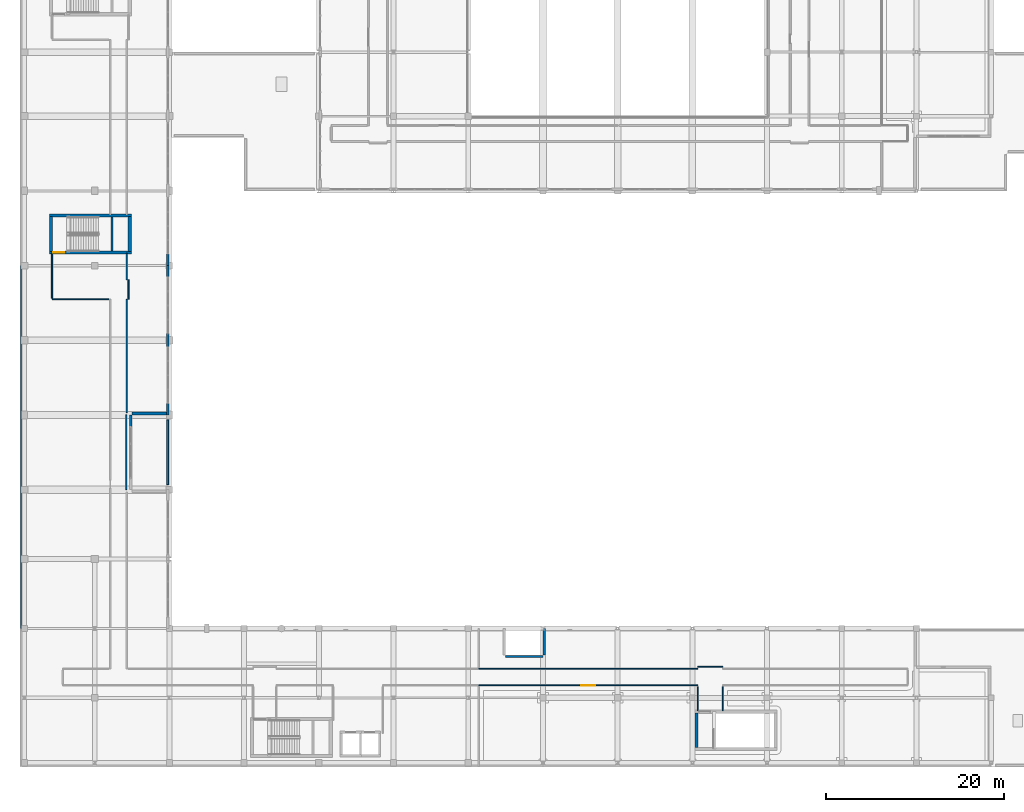
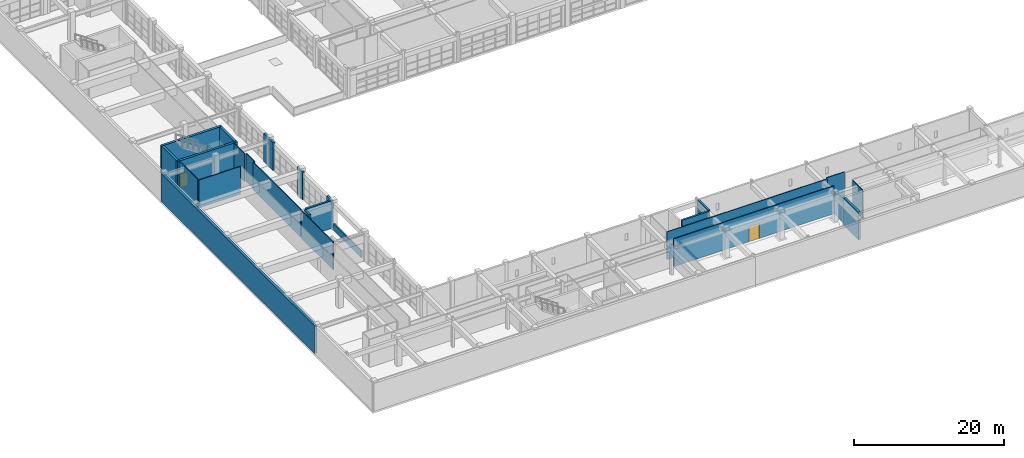
# One storey, part 105 of 123: 27 walls, 2 doors, 2 openings.
"""IFC4 building model written with IfcOpenShell, lengths in metres."""

from ifc_helpers import new_model, si_unit, direction, frame, frame_2d, origin, place, context, subcontext, project, spatial, rectangle, extrude, material, layer, layer_set, type_object, element, fill, save


model = new_model("IFC4")

# Units and contexts
model_context = context("Model", 3, precision=1e-05, world=origin(), true_north=direction((0.0, 1.0)))
body_context = subcontext(model_context, "Body", "Model", "MODEL_VIEW")
ifc_project = project(units=[si_unit("LENGTHUNIT", "METRE"), si_unit("AREAUNIT", "SQUARE_METRE"), si_unit("VOLUMEUNIT", "CUBIC_METRE"), si_unit("PLANEANGLEUNIT", "RADIAN"), si_unit("MASSUNIT", "GRAM", prefix="KILO")], contexts=[model_context])

# Site, building, storey
site_placement = place(None, origin())
site = spatial("IfcSite", under=ifc_project, at=site_placement, CompositionType="ELEMENT")
building_placement = place(site_placement, origin())
building = spatial("IfcBuilding", under=site, at=building_placement, Name="Quendrovan Civic Courthouse", CompositionType="ELEMENT")
storey_placement = place(building_placement, frame((0.0, 0.0, 5.39990234375)))
storey = spatial("IfcBuildingStorey", under=building, at=storey_placement, Name="L02", CompositionType="ELEMENT", Elevation=5.39990234375)

# Wall, opening, door
ifc_material_1 = material(Name="Concrete C45/55", Category="concrete")
ifc_layer_1 = layer(ifc_material_1, 0.35009765625, Name="Concrete C45/55")
ifc_layer_set_1 = layer_set([ifc_layer_1], Name="Concrete C45/55")
wall_type_1 = type_object("IfcWallType", Name="WL-CORE-350", PredefinedType="SHEAR", material=ifc_layer_set_1)
wall_1_placement = place(storey_placement, frame((3.2900390625, 57.864990234375, 0.0), z_axis=(0.0, 0.0, 1.0), x_axis=(1.0, 0.0, 0.0)))
wall_1 = element("IfcWall", 1, at=wall_1_placement, inside=storey, type_object=wall_type_1, Name="L02 Core Shear Wall ST4-S", PredefinedType="SHEAR", context=body_context, shape_type="SweptSolid", body=[
    extrude(rectangle(XDim=9.219970703125, YDim=0.35009765625, at=frame_2d((4.60986328125, 0.0))), origin(), (0.0, 0.0, 1.0), 4.52001953125),
])
opening_1_placement = place(wall_1_placement, frame((0.449951171875, 0.0, 0.0)))
opening_1 = element("IfcOpeningElement", 2, at=opening_1_placement, cuts=wall_1, Name="Opening DS-ST4-L02", PredefinedType="OPENING", context=body_context, shape_type="SweptSolid", body=[
    extrude(rectangle(XDim=1.25, YDim=2.199951171875, at=frame_2d((0.625, 1.10009765625))), frame((0.0, 0.18505859375, 0.0), z_axis=(0.0, -1.0, 0.0), x_axis=(1.0, 0.0, 0.0)), (0.0, 0.0, 1.0), 0.3701171875),
])
ifc_material_2 = material(Name="Painted galvanized hollow-metal steel", Category="steel")
door_type_1 = type_object("IfcDoorType", Name="DR-STAIR-1250", OperationType="NOTDEFINED", PredefinedType="DOOR", material=ifc_material_2)
door_1_placement = place(opening_1_placement, origin())
door_1 = element("IfcDoor", 3, at=door_1_placement, inside=storey, type_object=door_type_1, Name="L02 Exit Stair ST4 Fire Door", OperationType="SINGLE_SWING_LEFT", OverallHeight=2.199951171875, OverallWidth=1.25, PredefinedType="DOOR", context=body_context, shape_type="SweptSolid", body=[
    extrude(rectangle(XDim=1.25, YDim=2.199951171875, at=frame_2d((0.625, 1.10009765625))), frame((0.0, 0.02490234375, 0.0), z_axis=(0.0, -1.0, 0.0), x_axis=(1.0, 0.0, 0.0)), (0.0, 0.0, 1.0), 0.050048828125),
])
fill(opening_1, door_1)

# Walls
wall_2_placement = place(storey_placement, frame((12.510009765625, 62.034912109375, 0.0), z_axis=(0.0, 0.0, 1.0), x_axis=(-1.0, 0.0, 0.0)))
element("IfcWall", 4, at=wall_2_placement, inside=storey, type_object=wall_type_1, Name="L02 Core Shear Wall ST4-N", PredefinedType="SHEAR", context=body_context, shape_type="SweptSolid", body=[
    extrude(rectangle(XDim=9.219970703125, YDim=0.35009765625, at=frame_2d((4.60986328125, 0.0))), origin(), (0.0, 0.0, 1.0), 4.52001953125),
])
for number, where, z_axis, x_axis, name in (
    (5, (3.465087890625, 58.0, 0.0), (0.0, 0.0, 1.0), (0.0, 1.0, 0.0), "L02 Core Shear Wall ST4-W"),
    (6, (12.3349609375, 61.89990234375, 0.0), (0.0, 0.0, 1.0), (0.0, -1.0, 0.0), "L02 Core Shear Wall ST4-E"),
):
    element("IfcWall", number, at=place(storey_placement, frame(where, z_axis=z_axis, x_axis=x_axis)), inside=storey, type_object=wall_type_1, Name=name, PredefinedType="SHEAR", context=body_context, shape_type="SweptSolid", body=[
        extrude(rectangle(XDim=3.89990234375, YDim=0.35009765625, at=frame_2d((1.949951171875, 0.0))), origin(), (0.0, 0.0, 1.0), 4.52001953125),
    ])
wall_3_placement = place(storey_placement, frame((76.06494140625, 2.199951171875, 0.0), z_axis=(0.0, 0.0, 1.0), x_axis=(0.0, 1.0, 0.0)))
element("IfcWall", 7, at=wall_3_placement, inside=storey, type_object=wall_type_1, Name="L02 Core Shear Wall ST7-W", PredefinedType="SHEAR", context=body_context, shape_type="SweptSolid", body=[
    extrude(rectangle(XDim=3.900146484375, YDim=0.35009765625, at=frame_2d((1.9501953125, 0.0))), origin(), (0.0, 0.0, 1.0), 4.52001953125),
])
ifc_material_3 = material(Name="Precast concrete C45/55", Category="concrete")
ifc_layer_2 = layer(ifc_material_3, 0.2900390625, Name="Precast concrete C45/55")
ifc_layer_set_2 = layer_set([ifc_layer_2], Name="Precast concrete C45/55")
wall_type_2 = type_object("IfcWallType", Name="WL-EXT-PC290", PredefinedType="SOLIDWALL", material=ifc_layer_set_2)
wall_4_placement = place(storey_placement, frame((16.635009765625, 57.699951171875, 0.0), z_axis=(0.0, 0.0, 1.0), x_axis=(0.0, -1.0, 0.0)))
element("IfcWall", 8, at=wall_4_placement, inside=storey, type_object=wall_type_2, Name="L02 Exterior Pier Wall 176", PredefinedType="SOLIDWALL", context=body_context, shape_type="SweptSolid", body=[
    extrude(rectangle(XDim=1.300048828125, YDim=0.2900390625, at=frame_2d((0.64990234375, 0.0))), origin(), (0.0, 0.0, 1.0), 4.52001953125),
])
wall_5_placement = place(storey_placement, frame((16.635009765625, 56.39990234375, 0.0), z_axis=(0.0, 0.0, 1.0), x_axis=(0.0, -1.0, 0.0)))
element("IfcWall", 9, at=wall_5_placement, inside=storey, type_object=wall_type_2, Name="L02 Exterior Pier Wall 177", PredefinedType="SOLIDWALL", context=body_context, shape_type="SweptSolid", body=[
    extrude(rectangle(XDim=1.2998046875, YDim=0.2900390625, at=frame_2d((0.64990234375, 0.0))), origin(), (0.0, 0.0, 1.0), 4.52001953125),
])
wall_6_placement = place(storey_placement, frame((16.635009765625, 48.75, 0.0), z_axis=(0.0, 0.0, 1.0), x_axis=(0.0, -1.0, 0.0)))
element("IfcWall", 10, at=wall_6_placement, inside=storey, type_object=wall_type_2, Name="L02 Exterior Pier Wall 178", PredefinedType="SOLIDWALL", context=body_context, shape_type="SweptSolid", body=[
    extrude(rectangle(XDim=1.5, YDim=0.2900390625, at=frame_2d((0.75, 0.0))), origin(), (0.0, 0.0, 1.0), 4.52001953125),
])
wall_7_placement = place(storey_placement, frame((16.635009765625, 40.89990234375, 0.0), z_axis=(0.0, 0.0, 1.0), x_axis=(0.0, -1.0, 0.0)))
element("IfcWall", 11, at=wall_7_placement, inside=storey, type_object=wall_type_2, Name="L02 Exterior Pier Wall 179", PredefinedType="SOLIDWALL", context=body_context, shape_type="SweptSolid", body=[
    extrude(rectangle(XDim=1.2998046875, YDim=0.2900390625, at=frame_2d((0.64990234375, 0.0))), origin(), (0.0, 0.0, 1.0), 4.52001953125),
])
wall_8_placement = place(storey_placement, frame((16.800048828125, 39.764892578125, 0.0), z_axis=(0.0, 0.0, 1.0), x_axis=(-1.0, 0.0, 0.0)))
element("IfcWall", 12, at=wall_8_placement, inside=storey, type_object=wall_type_2, Name="L02 Exterior Civic Portal Wall 180", PredefinedType="SOLIDWALL", context=body_context, shape_type="SweptSolid", body=[
    extrude(rectangle(XDim=4.199951171875, YDim=0.2900390625, at=frame_2d((2.10009765625, 0.0))), origin(), (0.0, 0.0, 1.0), 4.52001953125),
])
wall_9_placement = place(storey_placement, frame((12.43505859375, 39.60009765625, 0.0), z_axis=(0.0, 0.0, 1.0), x_axis=(0.0, -1.0, 0.0)))
element("IfcWall", 13, at=wall_9_placement, inside=storey, type_object=wall_type_2, Name="L02 Exterior Pier Wall 181", PredefinedType="SOLIDWALL", context=body_context, shape_type="SweptSolid", body=[
    extrude(rectangle(XDim=1.300048828125, YDim=0.2900390625, at=frame_2d((0.64990234375, 0.0))), origin(), (0.0, 0.0, 1.0), 4.52001953125),
])
ifc_material_4 = material(Name="Concrete C40/50", Category="concrete")
ifc_layer_3 = layer(ifc_material_4, 0.27001953125, Name="Concrete C40/50")
ifc_layer_set_3 = layer_set([ifc_layer_3], Name="Concrete C40/50")
wall_type_3 = type_object("IfcWallType", Name="WL-EXT-RC270", PredefinedType="SOLIDWALL", material=ifc_layer_set_3)
wall_10_placement = place(storey_placement, frame((54.60009765625, 12.445068359375, 0.0), z_axis=(0.0, 0.0, 1.0), x_axis=(1.0, 0.0, 0.0)))
element("IfcWall", 14, at=wall_10_placement, inside=storey, type_object=wall_type_3, Name="L02 Exterior Precast Concrete Wall 189", PredefinedType="SOLIDWALL", context=body_context, shape_type="SweptSolid", body=[
    extrude(rectangle(XDim=4.199951171875, YDim=0.27001953125, at=frame_2d((2.10009765625, 0.0))), origin(), (0.0, 0.0, 1.0), 4.52001953125),
])
wall_11_placement = place(storey_placement, frame((58.955078125, 12.60009765625, 0.0), z_axis=(0.0, 0.0, 1.0), x_axis=(0.0, 1.0, 0.0)))
element("IfcWall", 15, at=wall_11_placement, inside=storey, type_object=wall_type_3, Name="L02 Exterior Precast Concrete Wall 190", PredefinedType="SOLIDWALL", context=body_context, shape_type="SweptSolid", body=[
    extrude(rectangle(XDim=3.0, YDim=0.27001953125, at=frame_2d((1.5, 0.0))), origin(), (0.0, 0.0, 1.0), 4.52001953125),
])

# Wall, opening, door
ifc_material_5 = material(Name="Acoustic glazed-head stud partition")
ifc_layer_4 = layer(ifc_material_5, 0.1201171875, Name="Acoustic glazed-head stud partition")
ifc_layer_set_4 = layer_set([ifc_layer_4], Name="Acoustic glazed-head stud partition")
wall_type_4 = type_object("IfcWallType", Name="WL-LIB-120", PredefinedType="PARTITIONING", material=ifc_layer_set_4)
wall_12_placement = place(storey_placement, frame((51.590087890625, 9.199951171875, 0.0), z_axis=(0.0, 0.0, 1.0), x_axis=(1.0, 0.0, 0.0)))
wall_12 = element("IfcWall", 16, at=wall_12_placement, inside=storey, type_object=wall_type_4, Name="L02 Law Library Reading Room Partition 0293", PredefinedType="PARTITIONING", context=body_context, shape_type="SweptSolid", body=[
    extrude(rectangle(XDim=24.60986328125, YDim=0.1201171875, at=frame_2d((12.304931640625, 0.0))), origin(), (0.0, 0.0, 1.0), 4.52001953125),
])
opening_2_placement = place(wall_12_placement, frame((11.52490234375, 0.0, 0.0)))
opening_2 = element("IfcOpeningElement", 17, at=opening_2_placement, cuts=wall_12, Name="Opening D-L02-046", PredefinedType="OPENING", context=body_context, shape_type="SweptSolid", body=[
    extrude(rectangle(XDim=1.56005859375, YDim=2.43994140625, at=frame_2d((0.780029296875, 1.219970703125))), frame((0.0, 0.070068359375, 0.0), z_axis=(0.0, -1.0, 0.0), x_axis=(1.0, 0.0, 0.0)), (0.0, 0.0, 1.0), 0.14013671875),
])
ifc_material_6 = material(Name="Bronze-anodised aluminium acoustic glass door", Category="aluminium")
door_type_2 = type_object("IfcDoorType", Name="DR-LIB-1560", OperationType="NOTDEFINED", PredefinedType="DOOR", material=ifc_material_6)
door_2_placement = place(opening_2_placement, origin())
door_2 = element("IfcDoor", 18, at=door_2_placement, inside=storey, type_object=door_type_2, Name="L02 Law Library Reading Room Door D-L02-046", OperationType="SINGLE_SWING_LEFT", OverallHeight=2.43994140625, OverallWidth=1.56005859375, PredefinedType="DOOR", context=body_context, shape_type="SweptSolid", body=[
    extrude(rectangle(XDim=1.56005859375, YDim=2.43994140625, at=frame_2d((0.780029296875, 1.219970703125))), frame((0.0, 0.02490234375, 0.0), z_axis=(0.0, -1.0, 0.0), x_axis=(1.0, 0.0, 0.0)), (0.0, 0.0, 1.0), 0.050048828125),
])
fill(opening_2, door_2)

# Walls
wall_13_placement = place(storey_placement, frame((76.199951171875, 11.050048828125, 0.0), z_axis=(0.0, 0.0, 1.0), x_axis=(-1.0, 0.0, 0.0)))
element("IfcWall", 19, at=wall_13_placement, inside=storey, type_object=wall_type_4, Name="L02 Law Library Reading Room Partition 0294", PredefinedType="PARTITIONING", context=body_context, shape_type="SweptSolid", body=[
    extrude(rectangle(XDim=24.60986328125, YDim=0.1201171875, at=frame_2d((12.304931640625, 0.0))), origin(), (0.0, 0.0, 1.0), 4.52001953125),
])
wall_14_placement = place(storey_placement, frame((76.199951171875, 9.06005859375, 0.0), z_axis=(0.0, 0.0, 1.0), x_axis=(0.0, -1.0, 0.0)))
element("IfcWall", 20, at=wall_14_placement, inside=storey, type_object=wall_type_4, Name="L02 Law Library Reading Room Partition 0385", PredefinedType="PARTITIONING", context=body_context, shape_type="SweptSolid", body=[
    extrude(rectangle(XDim=2.739990234375, YDim=0.1201171875, at=frame_2d((1.3701171875, 0.0))), origin(), (0.0, 0.0, 1.0), 3.550048828125),
])
wall_15_placement = place(storey_placement, frame((79.0, 6.320068359375, 0.0), z_axis=(0.0, 0.0, 1.0), x_axis=(0.0, 1.0, 0.0)))
element("IfcWall", 21, at=wall_15_placement, inside=storey, type_object=wall_type_4, Name="L02 Law Library Reading Room Partition 0386", PredefinedType="PARTITIONING", context=body_context, shape_type="SweptSolid", body=[
    extrude(rectangle(XDim=2.739990234375, YDim=0.1201171875, at=frame_2d((1.3701171875, 0.0))), origin(), (0.0, 0.0, 1.0), 4.52001953125),
])
wall_16_placement = place(storey_placement, frame((79.0, 11.300048828125, 0.0), z_axis=(0.0, 0.0, 1.0), x_axis=(-1.0, 0.0, 0.0)))
element("IfcWall", 22, at=wall_16_placement, inside=storey, type_object=wall_type_4, Name="L02 Law Library Reading Room Partition 0387", PredefinedType="PARTITIONING", context=body_context, shape_type="SweptSolid", body=[
    extrude(rectangle(XDim=2.800048828125, YDim=0.1201171875, at=frame_2d((1.39990234375, 0.0))), origin(), (0.0, 0.0, 1.0), 4.52001953125),
])
ifc_layer_5 = layer(ifc_material_3, 0.2099609375, Name="Precast concrete C45/55")
ifc_layer_set_5 = layer_set([ifc_layer_5], Name="Precast concrete C45/55")
wall_type_5 = type_object("IfcWallType", Name="WL-PARAPET-210", PredefinedType="PARAPET", material=ifc_layer_set_5)
wall_17_placement = place(storey_placement, frame((16.6201171875, 39.06005859375, 0.0), z_axis=(0.0, 0.0, 1.0), x_axis=(0.0, -1.0, 0.0)))
element("IfcWall", 23, at=wall_17_placement, inside=storey, type_object=wall_type_5, Name="L02 Precast Roof Parapet Wall 11", PredefinedType="PARAPET", context=body_context, shape_type="SweptSolid", body=[
    extrude(rectangle(XDim=7.320068359375, YDim=0.2099609375, at=frame_2d((3.66015625, 0.0))), origin(), (0.0, 0.0, 1.0), 1.1201171875),
])
ifc_layer_6 = layer(ifc_material_4, 0.360107421875, Name="Concrete C40/50")
ifc_layer_set_6 = layer_set([ifc_layer_6], Name="Concrete C40/50")
wall_type_6 = type_object("IfcWallType", Name="WL-PARTY-360", PredefinedType="SOLIDWALL", material=ifc_layer_set_6)
wall_18_placement = place(storey_placement, frame((0.2099609375, 15.60009765625, 0.0), z_axis=(0.0, 0.0, 1.0), x_axis=(0.0, 1.0, 0.0)))
element("IfcWall", 24, at=wall_18_placement, inside=storey, type_object=wall_type_6, Name="L02 Fire-Rated Boundary Party Wall 164", PredefinedType="SOLIDWALL", context=body_context, shape_type="SweptSolid", body=[
    extrude(rectangle(XDim=40.7998046875, YDim=0.360107421875, at=frame_2d((20.39990234375, 0.0))), origin(), (0.0, 0.0, 1.0), 4.52001953125),
])
ifc_material_7 = material(Name="Gypsum stud partition")
ifc_layer_7 = layer(ifc_material_7, 0.1298828125, Name="Gypsum stud partition")
ifc_layer_set_7 = layer_set([ifc_layer_7], Name="Gypsum stud partition")
wall_type_7 = type_object("IfcWallType", Name="WL-REG-130", PredefinedType="PARTITIONING", material=ifc_layer_set_7)
wall_19_placement = place(storey_placement, frame((12.0, 39.8798828125, 0.0), z_axis=(0.0, 0.0, 1.0), x_axis=(0.0, 1.0, 0.0)))
element("IfcWall", 25, at=wall_19_placement, inside=storey, type_object=wall_type_7, Name="L02 Judicial Case Administration Office Partition 0329", PredefinedType="PARTITIONING", context=body_context, shape_type="SweptSolid", body=[
    extrude(rectangle(XDim=12.72021484375, YDim=0.1298828125, at=frame_2d((6.360107421875, 0.0))), origin(), (0.0, 0.0, 1.0), 4.52001953125),
])
wall_20_placement = place(storey_placement, frame((11.949951171875, 31.199951171875, 0.0), z_axis=(0.0, 0.0, 1.0), x_axis=(0.0, 1.0, 0.0)))
element("IfcWall", 26, at=wall_20_placement, inside=storey, type_object=wall_type_7, Name="L02 Judicial Case Administration Office Partition 0338", PredefinedType="PARTITIONING", context=body_context, shape_type="SweptSolid", body=[
    extrude(rectangle(XDim=8.400146484375, YDim=0.1298828125, at=frame_2d((4.2001953125, 0.0))), origin(), (0.0, 0.0, 1.0), 4.52001953125),
])
wall_21_placement = place(storey_placement, frame((3.60009765625, 52.60009765625, 0.0), z_axis=(0.0, 0.0, 1.0), x_axis=(1.0, 0.0, 0.0)))
element("IfcWall", 27, at=wall_21_placement, inside=storey, type_object=wall_type_7, Name="L02 Judicial Case Administration Office Partition 0344", PredefinedType="PARTITIONING", context=body_context, shape_type="SweptSolid", body=[
    extrude(rectangle(XDim=6.40478515625, YDim=0.1298828125, at=frame_2d((3.202392578125, 0.0))), origin(), (0.0, 0.0, 1.0), 4.52001953125),
])
wall_22_placement = place(storey_placement, frame((3.60009765625, 57.780029296875, 0.0), z_axis=(0.0, 0.0, 1.0), x_axis=(0.0, -1.0, 0.0)))
element("IfcWall", 28, at=wall_22_placement, inside=storey, type_object=wall_type_7, Name="L02 Judicial Case Administration Office Partition 0354", PredefinedType="PARTITIONING", context=body_context, shape_type="SweptSolid", body=[
    extrude(rectangle(XDim=5.034912109375, YDim=0.1298828125, at=frame_2d((2.517578125, 0.0))), origin(), (0.0, 0.0, 1.0), 4.52001953125),
])
wall_23_placement = place(storey_placement, frame((12.0, 54.800048828125, 0.0), z_axis=(0.0, 0.0, 1.0), x_axis=(0.0, 1.0, 0.0)))
element("IfcWall", 29, at=wall_23_placement, inside=storey, type_object=wall_type_7, Name="L02 Judicial Case Administration Office Partition 0378", PredefinedType="PARTITIONING", context=body_context, shape_type="SweptSolid", body=[
    extrude(rectangle(XDim=2.97998046875, YDim=0.1298828125, at=frame_2d((1.489990234375, 0.0))), origin(), (0.0, 0.0, 1.0), 4.52001953125),
])
wall_24_placement = place(storey_placement, frame((12.199951171875, 52.60009765625, 0.0), z_axis=(0.0, 0.0, 1.0), x_axis=(0.0, 1.0, 0.0)))
element("IfcWall", 30, at=wall_24_placement, inside=storey, type_object=wall_type_7, Name="L02 Judicial Case Administration Office Partition 0400", PredefinedType="PARTITIONING", context=body_context, shape_type="SweptSolid", body=[
    extrude(rectangle(XDim=2.199951171875, YDim=0.1298828125, at=frame_2d((1.10009765625, 0.0))), origin(), (0.0, 0.0, 1.0), 4.52001953125),
])
ifc_layer_8 = layer(ifc_material_1, 0.25, Name="Concrete C45/55")
ifc_layer_set_8 = layer_set([ifc_layer_8], Name="Concrete C45/55")
wall_type_8 = type_object("IfcWallType", Name="WL-SHAFT-250", PredefinedType="SHEAR", material=ifc_layer_set_8)
wall_25_placement = place(storey_placement, frame((10.35009765625, 58.050048828125, 0.0), z_axis=(0.0, 0.0, 1.0), x_axis=(0.0, 1.0, 0.0)))
element("IfcWall", 31, at=wall_25_placement, inside=storey, type_object=wall_type_8, Name="L02 Stair ST4 Mid-Landing Bearing Wall", PredefinedType="SHEAR", context=body_context, shape_type="SweptSolid", body=[
    extrude(rectangle(XDim=3.800048828125, YDim=0.25, at=frame_2d((1.89990234375, 0.0))), origin(), (0.0, 0.0, 1.0), 2.22021484375),
])

save(model, "model.ifc")
